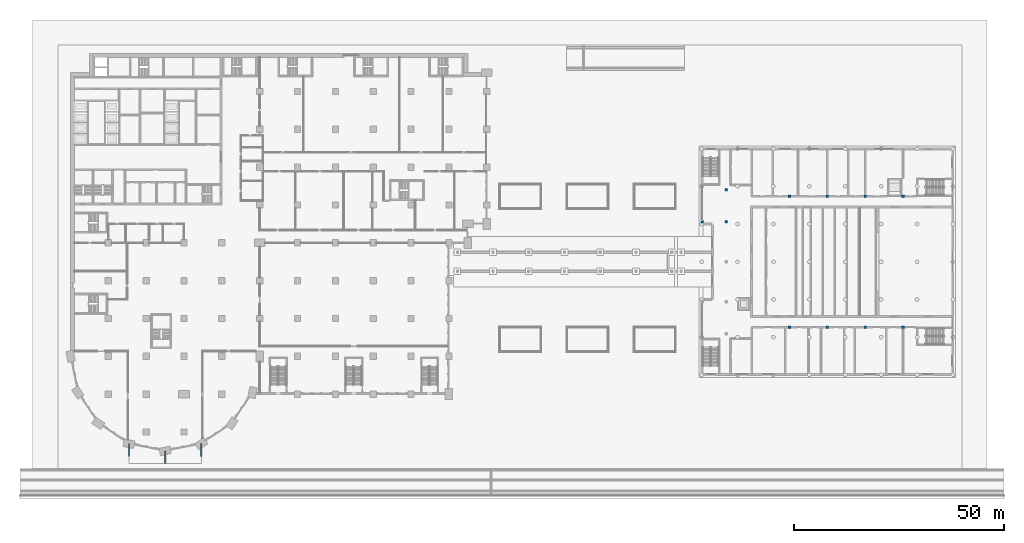
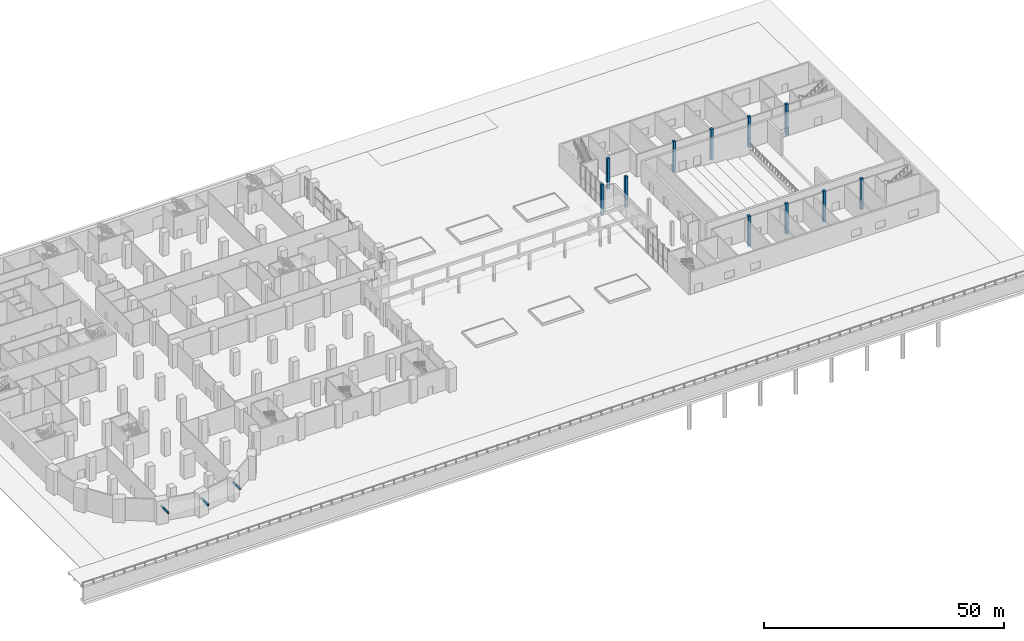
# One storey, part 3 of 47: 11 columns, 3 beams.
"""IFC4 building model written with IfcOpenShell, lengths in metres."""

from ifc_helpers import new_model, si_unit, direction, frame, origin, origin_2d, place, context, subcontext, project, spatial, rectangle, hollow_rectangle, extrude, material, material_profile, profile_set, type_object, element, save


model = new_model("IFC4")

# Units and contexts
model_context = context("Model", 3, precision=1e-05, world=origin(), true_north=direction((0.0, 1.0)))
body_context = subcontext(model_context, "Body", "Model", "MODEL_VIEW")
ifc_project = project(units=[si_unit("LENGTHUNIT", "METRE"), si_unit("AREAUNIT", "SQUARE_METRE"), si_unit("VOLUMEUNIT", "CUBIC_METRE"), si_unit("PLANEANGLEUNIT", "RADIAN"), si_unit("MASSUNIT", "GRAM", prefix="KILO")], contexts=[model_context])

# Site, building, storey
site_placement = place(None, origin())
site = spatial("IfcSite", under=ifc_project, at=site_placement, CompositionType="ELEMENT")
building_placement = place(site_placement, origin())
building = spatial("IfcBuilding", under=site, at=building_placement, Name="Hunhe Ridgeline Campus", CompositionType="ELEMENT")
storey_placement = place(building_placement, origin())
storey = spatial("IfcBuildingStorey", under=building, at=storey_placement, Name="L00", CompositionType="ELEMENT", Elevation=0.0)

# Columns
ifc_material_1 = material(Name="Concrete C50", Category="concrete")
ifc_material_profile_1 = material_profile(ifc_material_1, rectangle(XDim=0.60009765625, YDim=0.60009765625, at=origin_2d()))
ifc_profile_set_1 = profile_set([ifc_material_profile_1], Name="Concrete C50")
column_type = type_object("IfcColumnType", Name="Hall RC column 600x600 C50", PredefinedType="COLUMN", material=ifc_profile_set_1)
for number, where, z_axis, x_axis, name in (
    (1, (171.0, 33.89990234375, -1.800048828125), (0.0, 0.0, 1.0), (1.0, 0.0, 0.0), "Hall column HC-S1"),
    (2, (171.0, 65.10009765625, -1.800048828125), (0.0, 0.0, 1.0), (1.0, 0.0, 0.0), "Hall column HC-N1"),
    (3, (180.0, 33.89990234375, -1.800048828125), (0.0, 0.0, 1.0), (1.0, 0.0, 0.0), "Hall column HC-S2"),
    (4, (180.0, 65.10009765625, -1.800048828125), (0.0, 0.0, 1.0), (1.0, 0.0, 0.0), "Hall column HC-N2"),
    (5, (189.0, 33.89990234375, -1.800048828125), (0.0, 0.0, 1.0), (1.0, 0.0, 0.0), "Hall column HC-S3"),
    (6, (189.0, 65.10009765625, -1.800048828125), (0.0, 0.0, 1.0), (1.0, 0.0, 0.0), "Hall column HC-N3"),
    (7, (198.0, 33.89990234375, -1.800048828125), (0.0, 0.0, 1.0), (1.0, 0.0, 0.0), "Hall column HC-S4"),
    (8, (198.0, 65.10009765625, -1.800048828125), (0.0, 0.0, 1.0), (1.0, 0.0, 0.0), "Hall column HC-N4"),
    (9, (156.0, 59.0, -1.800048828125), (0.0, 0.0, 1.0), (1.0, 0.0, 0.0), "Hall column HC-G4"),
    (10, (156.0, 66.60009765625, -1.800048828125), (0.0, 0.0, 1.0), (1.0, 0.0, 0.0), "Hall column HC-G5"),
    (11, (150.199951171875, 59.0, -1.800048828125), (0.0, 0.0, 1.0), (1.0, 0.0, 0.0), "Hall column HC-W2"),
):
    element("IfcColumn", number, at=place(storey_placement, frame(where, z_axis=z_axis, x_axis=x_axis)), inside=storey, type_object=column_type, Name=name, PredefinedType="COLUMN", context=body_context, shape_type="SweptSolid", body=[
        extrude(rectangle(XDim=0.60009765625, YDim=0.60009765625, at=origin_2d()), origin(), (0.0, 0.0, 1.0), 7.800048828125),
    ])

# Beams
ifc_material_2 = material(Name="Steel Q420", Category="steel")
ifc_material_profile_2 = material_profile(ifc_material_2, hollow_rectangle(XDim=0.300048828125, YDim=0.5, WallThickness=0.01611328125, at=origin_2d()))
ifc_profile_set_2 = profile_set([ifc_material_profile_2], Name="Steel Q420")
beam_type = type_object("IfcBeamType", Name="Canopy box beam 500x300", PredefinedType="BEAM", material=ifc_profile_set_2)
for number, where, z_axis, x_axis, name in (
    (12, (13.8896484375, 6.212646484375, 4.050048828125), (0.0, -1.0, 0.0), (1.0, 0.0, 0.0), "Entrance canopy beam 1"),
    (13, (22.5, 4.5, 4.050048828125), (0.0, -1.0, 0.0), (1.0, 0.0, 0.0), "Entrance canopy beam 2"),
    (14, (31.1103515625, 6.212646484375, 4.050048828125), (0.0, -1.0, 0.0), (1.0, 0.0, 0.0), "Entrance canopy beam 3"),
):
    element("IfcBeam", number, at=place(storey_placement, frame(where, z_axis=z_axis, x_axis=x_axis)), inside=storey, type_object=beam_type, Name=name, PredefinedType="BEAM", context=body_context, shape_type="SweptSolid", body=[
        extrude(hollow_rectangle(XDim=0.300048828125, YDim=0.5, WallThickness=0.01611328125, at=origin_2d()), origin(), (0.0, 0.0, 1.0), 3.0),
    ])

save(model, "model.ifc")
